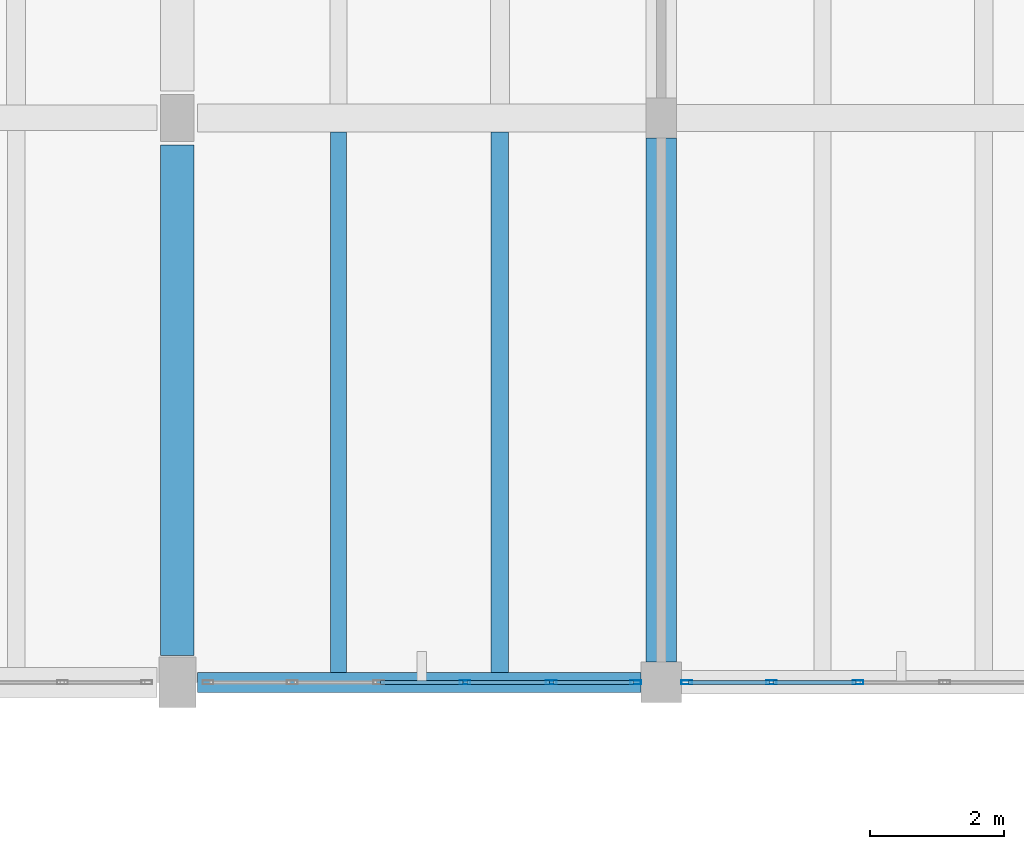
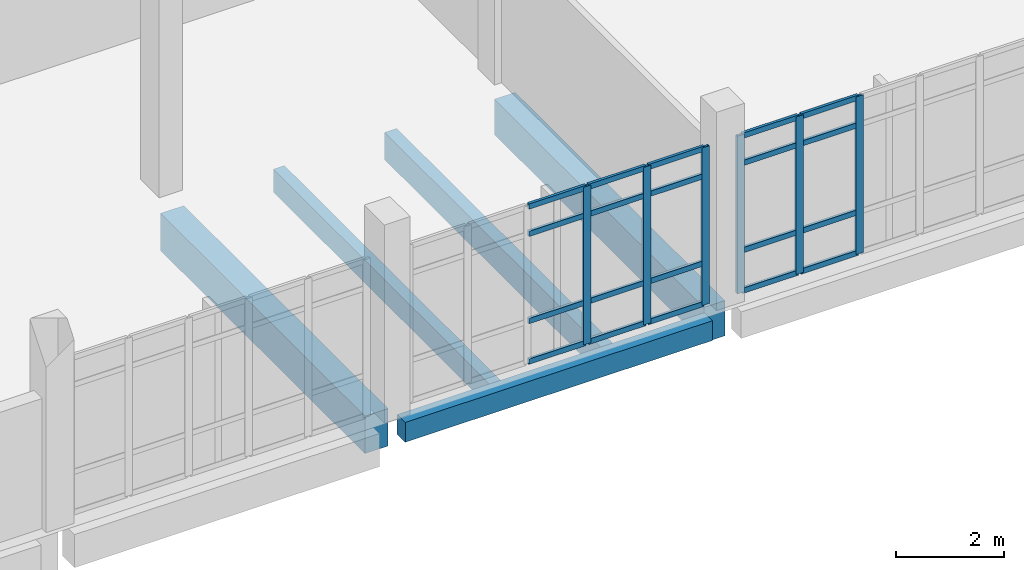
# One storey, part 34 of 62: 26 members, 5 beams, 2 elements without a shape of their own.
"""IFC4 building model written with IfcOpenShell, lengths in metres."""

from ifc_helpers import new_model, si_unit, direction, frame, origin, origin_2d, place, context, subcontext, project, spatial, rectangle, hollow_rectangle, extrude, material, material_profile, profile_set, type_object, element, aggregate, save


model = new_model("IFC4")

# Units and contexts
model_context = context("Model", 3, precision=1e-05, world=origin(), true_north=direction((0.0, 1.0)))
body_context = subcontext(model_context, "Body", "Model", "MODEL_VIEW")
ifc_project = project(units=[si_unit("LENGTHUNIT", "METRE"), si_unit("AREAUNIT", "SQUARE_METRE"), si_unit("VOLUMEUNIT", "CUBIC_METRE"), si_unit("PLANEANGLEUNIT", "RADIAN"), si_unit("MASSUNIT", "GRAM", prefix="KILO")], contexts=[model_context])

# Site, building, storey
site_placement = place(None, origin())
site = spatial("IfcSite", under=ifc_project, at=site_placement, CompositionType="ELEMENT")
building_placement = place(site_placement, origin())
building = spatial("IfcBuilding", under=site, at=building_placement, Name="Kalluvel Institute of Natural Sciences", CompositionType="ELEMENT")
storey_placement = place(building_placement, frame((0.0, 0.0, 27.89990234375)))
storey = spatial("IfcBuildingStorey", under=building, at=storey_placement, Name="L06", CompositionType="ELEMENT", Elevation=27.89990234375)

# Beams
ifc_material_1 = material(Name="Concrete M40", Category="concrete")
ifc_material_profile_1 = material_profile(ifc_material_1, rectangle(XDim=0.449951171875, YDim=0.800048828125, at=origin_2d()), Name="RCB 450x800")
ifc_profile_set_1 = profile_set([ifc_material_profile_1], Name="Concrete M40")
beam_type_1 = type_object("IfcBeamType", Name="BM-RC450x800", PredefinedType="BEAM", material=ifc_profile_set_1)
beam_1_placement = place(storey_placement, frame((93.199951171875, 103.10009765625, -0.719970703125), z_axis=(0.0, 1.0, 0.0), x_axis=(-1.0, 0.0, 0.0)))
element("IfcBeam", 1, at=beam_1_placement, inside=storey, type_object=beam_type_1, Name="L06 girder GIR-L06-NS-X932-Y1028", PredefinedType="BEAM", context=body_context, shape_type="SweptSolid", body=[
    extrude(rectangle(XDim=0.449951171875, YDim=0.800048828125, at=origin_2d()), origin(), (0.0, 0.0, 1.0), 7.7998046875),
])
ifc_material_2 = material(Name="Concrete M50", Category="concrete")
ifc_material_profile_2 = material_profile(ifc_material_2, rectangle(XDim=0.5, YDim=0.85009765625, at=origin_2d()), Name="RCB 500x850")
ifc_profile_set_2 = profile_set([ifc_material_profile_2], Name="Concrete M50")
beam_type_2 = type_object("IfcBeamType", Name="BM-RC500x850", PredefinedType="BEAM", material=ifc_profile_set_2)
beam_2_placement = place(storey_placement, frame((86.0, 103.199951171875, -0.744873046875), z_axis=(0.0, 1.0, 0.0), x_axis=(-1.0, 0.0, 0.0)))
element("IfcBeam", 2, at=beam_2_placement, inside=storey, type_object=beam_type_2, Name="L06 girder GIR-L06-NS-X860-Y1028", PredefinedType="BEAM", context=body_context, shape_type="SweptSolid", body=[
    extrude(rectangle(XDim=0.5, YDim=0.85009765625, at=origin_2d()), origin(), (0.0, 0.0, 1.0), 7.60009765625),
])

# Curtain wall, members
ifc_material_3 = material(Name="Aluminium AW-6063 T6", Category="aluminium")
curtain_wall_type = type_object("IfcCurtainWallType", Name="CW-WET-45", PredefinedType="USERDEFINED", material=ifc_material_3)
curtain_wall_1_placement = place(storey_placement, origin())
curtain_wall_1 = element("IfcCurtainWall", 3, at=curtain_wall_1_placement, inside=storey, type_object=curtain_wall_type, Name="L06 Gothic lancet curtain wall CWA-L06-X864-Y1028", ObjectType="UNITISED LANCET FACADE", PredefinedType="USERDEFINED")
ifc_material_profile_3 = material_profile(ifc_material_3, hollow_rectangle(XDim=0.06005859375, YDim=0.159912109375, WallThickness=0.00390625, at=origin_2d()), Name="CWM 60x160")
ifc_profile_set_3 = profile_set([ifc_material_profile_3], Name="Aluminium AW-6063 T6")
member_type_1 = type_object("IfcMemberType", Name="CWM-60x160", PredefinedType="MULLION", material=ifc_profile_set_3)
member_1_placement = place(storey_placement, frame((90.280029296875, 102.800048828125, 0.0), z_axis=(0.0, 0.0, 1.0), x_axis=(0.0, 1.0, 0.0)))
member_1 = element("IfcMember", 4, at=member_1_placement, type_object=member_type_1, Name="CW-01 mullion 4", PredefinedType="MULLION", context=body_context, shape_type="SweptSolid", body=[
    extrude(hollow_rectangle(XDim=0.06005859375, YDim=0.159912109375, WallThickness=0.00390625, at=origin_2d()), origin(), (0.0, 0.0, 1.0), 3.580078125),
])
member_2_placement = place(storey_placement, frame((91.56494140625, 102.800048828125, 0.0), z_axis=(0.0, 0.0, 1.0), x_axis=(0.0, 1.0, 0.0)))
member_2 = element("IfcMember", 5, at=member_2_placement, type_object=member_type_1, Name="CW-01 mullion 5", PredefinedType="MULLION", context=body_context, shape_type="SweptSolid", body=[
    extrude(hollow_rectangle(XDim=0.06005859375, YDim=0.159912109375, WallThickness=0.00390625, at=origin_2d()), origin(), (0.0, 0.0, 1.0), 3.580078125),
])
member_3_placement = place(storey_placement, frame((92.820068359375, 102.800048828125, 0.0), z_axis=(0.0, 0.0, 1.0), x_axis=(0.0, 1.0, 0.0)))
member_3 = element("IfcMember", 6, at=member_3_placement, type_object=member_type_1, Name="CW-01 mullion 6", PredefinedType="MULLION", context=body_context, shape_type="SweptSolid", body=[
    extrude(hollow_rectangle(XDim=0.06005859375, YDim=0.159912109375, WallThickness=0.00390625, at=origin_2d()), origin(), (0.0, 0.0, 1.0), 3.580078125),
])

curtain_wall_2_placement = place(storey_placement, origin())
curtain_wall_2 = element("IfcCurtainWall", 7, at=curtain_wall_2_placement, inside=storey, type_object=curtain_wall_type, Name="L06 Gothic lancet curtain wall CWA-L06-X936-Y1028", ObjectType="UNITISED LANCET FACADE", PredefinedType="USERDEFINED")
member_4_placement = place(storey_placement, frame((93.580078125, 102.800048828125, 0.0), z_axis=(0.0, 0.0, 1.0), x_axis=(0.0, 1.0, 0.0)))
member_4 = element("IfcMember", 8, at=member_4_placement, type_object=member_type_1, Name="CW-01 mullion 1", PredefinedType="MULLION", context=body_context, shape_type="SweptSolid", body=[
    extrude(hollow_rectangle(XDim=0.06005859375, YDim=0.159912109375, WallThickness=0.00390625, at=origin_2d()), origin(), (0.0, 0.0, 1.0), 3.580078125),
])
member_5_placement = place(storey_placement, frame((94.840087890625, 102.800048828125, 0.0), z_axis=(0.0, 0.0, 1.0), x_axis=(0.0, 1.0, 0.0)))
member_5 = element("IfcMember", 9, at=member_5_placement, type_object=member_type_1, Name="CW-01 mullion 2", PredefinedType="MULLION", context=body_context, shape_type="SweptSolid", body=[
    extrude(hollow_rectangle(XDim=0.06005859375, YDim=0.159912109375, WallThickness=0.00390625, at=origin_2d()), origin(), (0.0, 0.0, 1.0), 3.580078125),
])
member_6_placement = place(storey_placement, frame((96.1298828125, 102.800048828125, 0.0), z_axis=(0.0, 0.0, 1.0), x_axis=(0.0, 1.0, 0.0)))
member_6 = element("IfcMember", 10, at=member_6_placement, type_object=member_type_1, Name="CW-01 mullion 3", PredefinedType="MULLION", context=body_context, shape_type="SweptSolid", body=[
    extrude(hollow_rectangle(XDim=0.06005859375, YDim=0.159912109375, WallThickness=0.00390625, at=origin_2d()), origin(), (0.0, 0.0, 1.0), 3.580078125),
])

# Member
ifc_material_profile_4 = material_profile(ifc_material_3, hollow_rectangle(XDim=0.06005859375, YDim=0.1201171875, WallThickness=0.00390625, at=origin_2d()), Name="CWT 60x120")
ifc_profile_set_4 = profile_set([ifc_material_profile_4], Name="Aluminium AW-6063 T6")
member_type_2 = type_object("IfcMemberType", Name="CWT-60x120", PredefinedType="USERDEFINED", material=ifc_profile_set_4)
member_7_placement = place(storey_placement, frame((89.02490234375, 102.800048828125, 0.030029296875), z_axis=(1.0, 0.0, 0.0), x_axis=(0.0, 1.0, 0.0)))
member_7 = element("IfcMember", 11, at=member_7_placement, type_object=member_type_2, Name="CW-01 transom 3.1", ObjectType="TRANSOM", PredefinedType="USERDEFINED", context=body_context, shape_type="SweptSolid", body=[
    extrude(hollow_rectangle(XDim=0.06005859375, YDim=0.1201171875, WallThickness=0.00390625, at=origin_2d()), origin(), (0.0, 0.0, 1.0), 1.22509765625),
])

member_8_placement = place(storey_placement, frame((89.02490234375, 102.800048828125, 0.9501953125), z_axis=(1.0, 0.0, 0.0), x_axis=(0.0, 1.0, 0.0)))
member_8 = element("IfcMember", 12, at=member_8_placement, type_object=member_type_2, Name="CW-01 transom 3.2", ObjectType="TRANSOM", PredefinedType="USERDEFINED", context=body_context, shape_type="SweptSolid", body=[
    extrude(hollow_rectangle(XDim=0.06005859375, YDim=0.1201171875, WallThickness=0.00390625, at=origin_2d()), origin(), (0.0, 0.0, 1.0), 1.22509765625),
])

member_9_placement = place(storey_placement, frame((89.02490234375, 102.800048828125, 2.93017578125), z_axis=(1.0, 0.0, 0.0), x_axis=(0.0, 1.0, 0.0)))
member_9 = element("IfcMember", 13, at=member_9_placement, type_object=member_type_2, Name="CW-01 transom 3.3", ObjectType="TRANSOM", PredefinedType="USERDEFINED", context=body_context, shape_type="SweptSolid", body=[
    extrude(hollow_rectangle(XDim=0.06005859375, YDim=0.1201171875, WallThickness=0.00390625, at=origin_2d()), origin(), (0.0, 0.0, 1.0), 1.22509765625),
])

member_10_placement = place(storey_placement, frame((89.02490234375, 102.800048828125, 3.550048828125), z_axis=(1.0, 0.0, 0.0), x_axis=(0.0, 1.0, 0.0)))
member_10 = element("IfcMember", 14, at=member_10_placement, type_object=member_type_2, Name="CW-01 transom 3.4", ObjectType="TRANSOM", PredefinedType="USERDEFINED", context=body_context, shape_type="SweptSolid", body=[
    extrude(hollow_rectangle(XDim=0.06005859375, YDim=0.1201171875, WallThickness=0.00390625, at=origin_2d()), origin(), (0.0, 0.0, 1.0), 1.22509765625),
])

member_11_placement = place(storey_placement, frame((90.31005859375, 102.800048828125, 0.030029296875), z_axis=(1.0, 0.0, 0.0), x_axis=(0.0, 1.0, 0.0)))
member_11 = element("IfcMember", 15, at=member_11_placement, type_object=member_type_2, Name="CW-01 transom 4.1", ObjectType="TRANSOM", PredefinedType="USERDEFINED", context=body_context, shape_type="SweptSolid", body=[
    extrude(hollow_rectangle(XDim=0.06005859375, YDim=0.1201171875, WallThickness=0.00390625, at=origin_2d()), origin(), (0.0, 0.0, 1.0), 1.224853515625),
])

member_12_placement = place(storey_placement, frame((90.31005859375, 102.800048828125, 0.9501953125), z_axis=(1.0, 0.0, 0.0), x_axis=(0.0, 1.0, 0.0)))
member_12 = element("IfcMember", 16, at=member_12_placement, type_object=member_type_2, Name="CW-01 transom 4.2", ObjectType="TRANSOM", PredefinedType="USERDEFINED", context=body_context, shape_type="SweptSolid", body=[
    extrude(hollow_rectangle(XDim=0.06005859375, YDim=0.1201171875, WallThickness=0.00390625, at=origin_2d()), origin(), (0.0, 0.0, 1.0), 1.224853515625),
])

member_13_placement = place(storey_placement, frame((90.31005859375, 102.800048828125, 2.93017578125), z_axis=(1.0, 0.0, 0.0), x_axis=(0.0, 1.0, 0.0)))
member_13 = element("IfcMember", 17, at=member_13_placement, type_object=member_type_2, Name="CW-01 transom 4.3", ObjectType="TRANSOM", PredefinedType="USERDEFINED", context=body_context, shape_type="SweptSolid", body=[
    extrude(hollow_rectangle(XDim=0.06005859375, YDim=0.1201171875, WallThickness=0.00390625, at=origin_2d()), origin(), (0.0, 0.0, 1.0), 1.224853515625),
])

member_14_placement = place(storey_placement, frame((90.31005859375, 102.800048828125, 3.550048828125), z_axis=(1.0, 0.0, 0.0), x_axis=(0.0, 1.0, 0.0)))
member_14 = element("IfcMember", 18, at=member_14_placement, type_object=member_type_2, Name="CW-01 transom 4.4", ObjectType="TRANSOM", PredefinedType="USERDEFINED", context=body_context, shape_type="SweptSolid", body=[
    extrude(hollow_rectangle(XDim=0.06005859375, YDim=0.1201171875, WallThickness=0.00390625, at=origin_2d()), origin(), (0.0, 0.0, 1.0), 1.224853515625),
])

member_15_placement = place(storey_placement, frame((91.594970703125, 102.800048828125, 0.030029296875), z_axis=(1.0, 0.0, 0.0), x_axis=(0.0, 1.0, 0.0)))
member_15 = element("IfcMember", 19, at=member_15_placement, type_object=member_type_2, Name="CW-01 transom 5.1", ObjectType="TRANSOM", PredefinedType="USERDEFINED", context=body_context, shape_type="SweptSolid", body=[
    extrude(hollow_rectangle(XDim=0.06005859375, YDim=0.1201171875, WallThickness=0.00390625, at=origin_2d()), origin(), (0.0, 0.0, 1.0), 1.195068359375),
])

member_16_placement = place(storey_placement, frame((91.594970703125, 102.800048828125, 0.9501953125), z_axis=(1.0, 0.0, 0.0), x_axis=(0.0, 1.0, 0.0)))
member_16 = element("IfcMember", 20, at=member_16_placement, type_object=member_type_2, Name="CW-01 transom 5.2", ObjectType="TRANSOM", PredefinedType="USERDEFINED", context=body_context, shape_type="SweptSolid", body=[
    extrude(hollow_rectangle(XDim=0.06005859375, YDim=0.1201171875, WallThickness=0.00390625, at=origin_2d()), origin(), (0.0, 0.0, 1.0), 1.195068359375),
])

member_17_placement = place(storey_placement, frame((91.594970703125, 102.800048828125, 2.93017578125), z_axis=(1.0, 0.0, 0.0), x_axis=(0.0, 1.0, 0.0)))
member_17 = element("IfcMember", 21, at=member_17_placement, type_object=member_type_2, Name="CW-01 transom 5.3", ObjectType="TRANSOM", PredefinedType="USERDEFINED", context=body_context, shape_type="SweptSolid", body=[
    extrude(hollow_rectangle(XDim=0.06005859375, YDim=0.1201171875, WallThickness=0.00390625, at=origin_2d()), origin(), (0.0, 0.0, 1.0), 1.195068359375),
])

member_18_placement = place(storey_placement, frame((91.594970703125, 102.800048828125, 3.550048828125), z_axis=(1.0, 0.0, 0.0), x_axis=(0.0, 1.0, 0.0)))
member_18 = element("IfcMember", 22, at=member_18_placement, type_object=member_type_2, Name="CW-01 transom 5.4", ObjectType="TRANSOM", PredefinedType="USERDEFINED", context=body_context, shape_type="SweptSolid", body=[
    extrude(hollow_rectangle(XDim=0.06005859375, YDim=0.1201171875, WallThickness=0.00390625, at=origin_2d()), origin(), (0.0, 0.0, 1.0), 1.195068359375),
])

aggregate(curtain_wall_1, [member_1, member_2, member_3, member_7, member_8, member_9, member_10, member_11, member_12, member_13, member_14, member_15, member_16, member_17, member_18])

member_19_placement = place(storey_placement, frame((93.610107421875, 102.800048828125, 0.030029296875), z_axis=(1.0, 0.0, 0.0), x_axis=(0.0, 1.0, 0.0)))
member_19 = element("IfcMember", 23, at=member_19_placement, type_object=member_type_2, Name="CW-01 transom 1.1", ObjectType="TRANSOM", PredefinedType="USERDEFINED", context=body_context, shape_type="SweptSolid", body=[
    extrude(hollow_rectangle(XDim=0.06005859375, YDim=0.1201171875, WallThickness=0.00390625, at=origin_2d()), origin(), (0.0, 0.0, 1.0), 1.199951171875),
])

member_20_placement = place(storey_placement, frame((93.610107421875, 102.800048828125, 0.9501953125), z_axis=(1.0, 0.0, 0.0), x_axis=(0.0, 1.0, 0.0)))
member_20 = element("IfcMember", 24, at=member_20_placement, type_object=member_type_2, Name="CW-01 transom 1.2", ObjectType="TRANSOM", PredefinedType="USERDEFINED", context=body_context, shape_type="SweptSolid", body=[
    extrude(hollow_rectangle(XDim=0.06005859375, YDim=0.1201171875, WallThickness=0.00390625, at=origin_2d()), origin(), (0.0, 0.0, 1.0), 1.199951171875),
])

member_21_placement = place(storey_placement, frame((93.610107421875, 102.800048828125, 2.93017578125), z_axis=(1.0, 0.0, 0.0), x_axis=(0.0, 1.0, 0.0)))
member_21 = element("IfcMember", 25, at=member_21_placement, type_object=member_type_2, Name="CW-01 transom 1.3", ObjectType="TRANSOM", PredefinedType="USERDEFINED", context=body_context, shape_type="SweptSolid", body=[
    extrude(hollow_rectangle(XDim=0.06005859375, YDim=0.1201171875, WallThickness=0.00390625, at=origin_2d()), origin(), (0.0, 0.0, 1.0), 1.199951171875),
])

member_22_placement = place(storey_placement, frame((93.610107421875, 102.800048828125, 3.550048828125), z_axis=(1.0, 0.0, 0.0), x_axis=(0.0, 1.0, 0.0)))
member_22 = element("IfcMember", 26, at=member_22_placement, type_object=member_type_2, Name="CW-01 transom 1.4", ObjectType="TRANSOM", PredefinedType="USERDEFINED", context=body_context, shape_type="SweptSolid", body=[
    extrude(hollow_rectangle(XDim=0.06005859375, YDim=0.1201171875, WallThickness=0.00390625, at=origin_2d()), origin(), (0.0, 0.0, 1.0), 1.199951171875),
])

member_23_placement = place(storey_placement, frame((94.8701171875, 102.800048828125, 0.030029296875), z_axis=(1.0, 0.0, 0.0), x_axis=(0.0, 1.0, 0.0)))
member_23 = element("IfcMember", 27, at=member_23_placement, type_object=member_type_2, Name="CW-01 transom 2.1", ObjectType="TRANSOM", PredefinedType="USERDEFINED", context=body_context, shape_type="SweptSolid", body=[
    extrude(hollow_rectangle(XDim=0.06005859375, YDim=0.1201171875, WallThickness=0.00390625, at=origin_2d()), origin(), (0.0, 0.0, 1.0), 1.22998046875),
])

member_24_placement = place(storey_placement, frame((94.8701171875, 102.800048828125, 0.9501953125), z_axis=(1.0, 0.0, 0.0), x_axis=(0.0, 1.0, 0.0)))
member_24 = element("IfcMember", 28, at=member_24_placement, type_object=member_type_2, Name="CW-01 transom 2.2", ObjectType="TRANSOM", PredefinedType="USERDEFINED", context=body_context, shape_type="SweptSolid", body=[
    extrude(hollow_rectangle(XDim=0.06005859375, YDim=0.1201171875, WallThickness=0.00390625, at=origin_2d()), origin(), (0.0, 0.0, 1.0), 1.22998046875),
])

member_25_placement = place(storey_placement, frame((94.8701171875, 102.800048828125, 2.93017578125), z_axis=(1.0, 0.0, 0.0), x_axis=(0.0, 1.0, 0.0)))
member_25 = element("IfcMember", 29, at=member_25_placement, type_object=member_type_2, Name="CW-01 transom 2.3", ObjectType="TRANSOM", PredefinedType="USERDEFINED", context=body_context, shape_type="SweptSolid", body=[
    extrude(hollow_rectangle(XDim=0.06005859375, YDim=0.1201171875, WallThickness=0.00390625, at=origin_2d()), origin(), (0.0, 0.0, 1.0), 1.22998046875),
])

member_26_placement = place(storey_placement, frame((94.8701171875, 102.800048828125, 3.550048828125), z_axis=(1.0, 0.0, 0.0), x_axis=(0.0, 1.0, 0.0)))
member_26 = element("IfcMember", 30, at=member_26_placement, type_object=member_type_2, Name="CW-01 transom 2.4", ObjectType="TRANSOM", PredefinedType="USERDEFINED", context=body_context, shape_type="SweptSolid", body=[
    extrude(hollow_rectangle(XDim=0.06005859375, YDim=0.1201171875, WallThickness=0.00390625, at=origin_2d()), origin(), (0.0, 0.0, 1.0), 1.22998046875),
])

aggregate(curtain_wall_2, [member_4, member_5, member_6, member_19, member_20, member_21, member_22, member_23, member_24, member_25, member_26])

# Beams
ifc_material_profile_5 = material_profile(ifc_material_1, rectangle(XDim=0.300048828125, YDim=0.449951171875, at=origin_2d()), Name="RCB 300x450")
ifc_profile_set_5 = profile_set([ifc_material_profile_5], Name="Concrete M40")
beam_type_3 = type_object("IfcBeamType", Name="SP-RC300x450", PredefinedType="SPANDREL", material=ifc_profile_set_5)
beam_3_placement = place(storey_placement, frame((86.300048828125, 102.800048828125, -0.544921875), z_axis=(1.0, 0.0, 0.0), x_axis=(0.0, 1.0, 0.0)))
element("IfcBeam", 31, at=beam_3_placement, inside=storey, type_object=beam_type_3, Name="L06 girder GIR-L06-EW-X860-Y1028", PredefinedType="SPANDREL", context=body_context, shape_type="SweptSolid", body=[
    extrude(rectangle(XDim=0.300048828125, YDim=0.449951171875, at=origin_2d()), origin(), (0.0, 0.0, 1.0), 6.599853515625),
])
ifc_material_profile_6 = material_profile(ifc_material_1, rectangle(XDim=0.239990234375, YDim=0.52001953125, at=origin_2d()), Name="WAF 240x520")
ifc_profile_set_6 = profile_set([ifc_material_profile_6], Name="Concrete M40")
beam_type_4 = type_object("IfcBeamType", Name="WJ-240x520", PredefinedType="JOIST", material=ifc_profile_set_6)
beam_4_placement = place(storey_placement, frame((88.39990234375, 102.949951171875, -0.579833984375), z_axis=(0.0, 1.0, 0.0), x_axis=(-1.0, 0.0, 0.0)))
element("IfcBeam", 32, at=beam_4_placement, inside=storey, type_object=beam_type_4, Name="L06 waffle joist RIB-L06-0494", PredefinedType="JOIST", context=body_context, shape_type="SweptSolid", body=[
    extrude(rectangle(XDim=0.239990234375, YDim=0.52001953125, at=origin_2d()), origin(), (0.0, 0.0, 1.0), 8.0400390625),
])
ifc_material_profile_7 = material_profile(ifc_material_2, rectangle(XDim=0.260009765625, YDim=0.6201171875, at=origin_2d()), Name="WAF 260x620")
ifc_profile_set_7 = profile_set([ifc_material_profile_7], Name="Concrete M50")
beam_type_5 = type_object("IfcBeamType", Name="WJ-260x620", PredefinedType="JOIST", material=ifc_profile_set_7)
beam_5_placement = place(storey_placement, frame((90.800048828125, 102.949951171875, -0.6298828125), z_axis=(0.0, 1.0, 0.0), x_axis=(-1.0, 0.0, 0.0)))
element("IfcBeam", 33, at=beam_5_placement, inside=storey, type_object=beam_type_5, Name="L06 waffle joist RIB-L06-0495", PredefinedType="JOIST", context=body_context, shape_type="SweptSolid", body=[
    extrude(rectangle(XDim=0.260009765625, YDim=0.6201171875, at=origin_2d()), origin(), (0.0, 0.0, 1.0), 8.0400390625),
])

save(model, "model.ifc")
